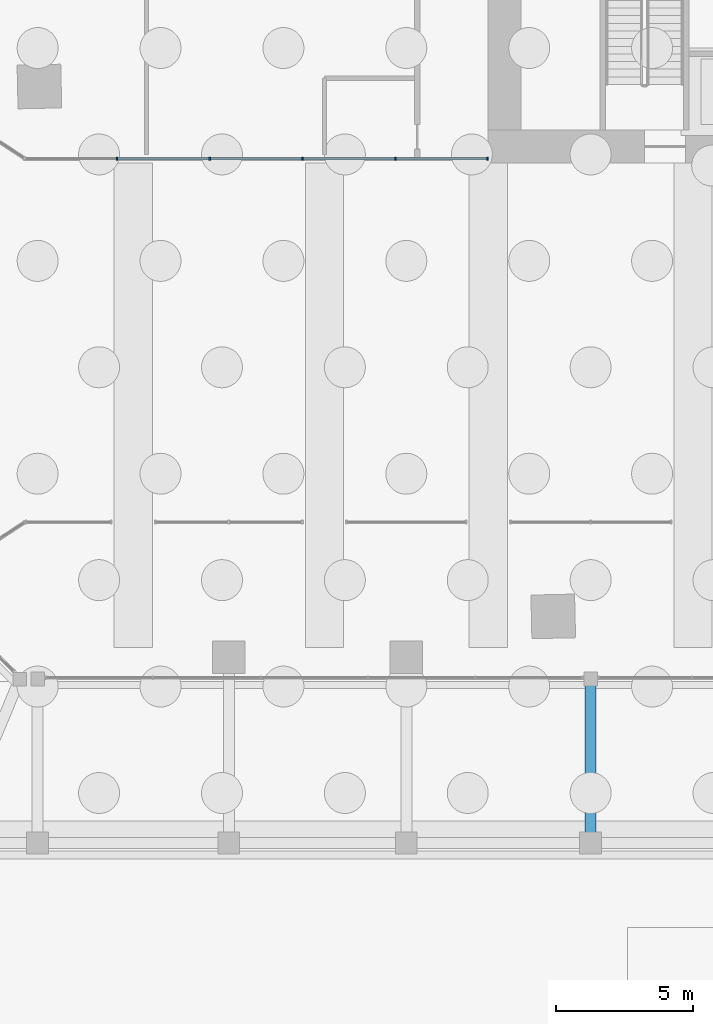
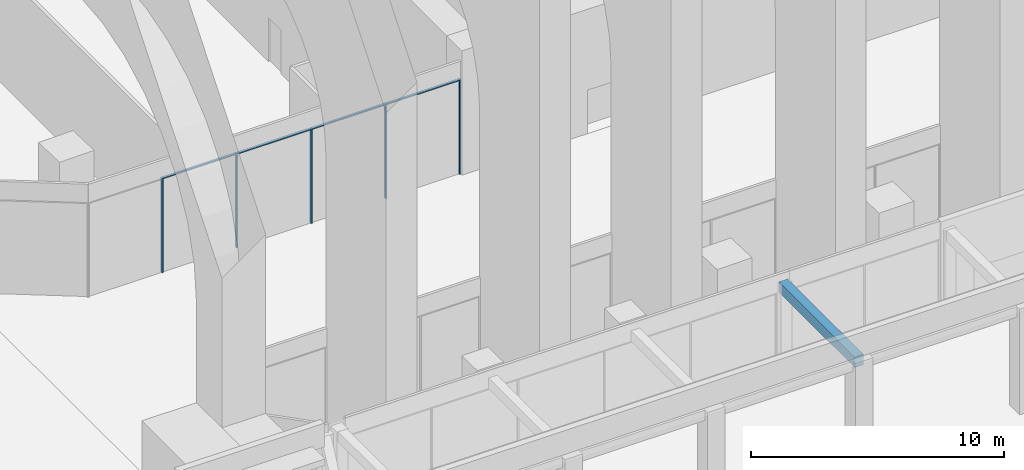
# One storey, part 9 of 46: 9 members, 1 beam, 1 element without a shape of its own.
"""IFC4 building model written with IfcOpenShell, lengths in metres."""

from ifc_helpers import new_model, si_unit, direction, frame, origin, origin_2d, place, context, subcontext, project, spatial, rectangle, extrude, material, material_profile, profile_set, type_object, element, aggregate, save


model = new_model("IFC4")

# Units and contexts
model_context = context("Model", 3, precision=1e-05, world=origin(), true_north=direction((0.0, 1.0)))
body_context = subcontext(model_context, "Body", "Model", "MODEL_VIEW")
ifc_project = project(units=[si_unit("LENGTHUNIT", "METRE"), si_unit("AREAUNIT", "SQUARE_METRE"), si_unit("VOLUMEUNIT", "CUBIC_METRE"), si_unit("PLANEANGLEUNIT", "RADIAN"), si_unit("MASSUNIT", "GRAM", prefix="KILO")], contexts=[model_context])

# Site, building, storey
site_placement = place(None, origin())
site = spatial("IfcSite", under=ifc_project, at=site_placement, CompositionType="ELEMENT")
building_placement = place(site_placement, origin())
building = spatial("IfcBuilding", under=site, at=building_placement, Name="Mangrove Gate Tower", CompositionType="ELEMENT")
storey_placement = place(building_placement, origin())
storey = spatial("IfcBuildingStorey", under=building, at=storey_placement, Name="L00", CompositionType="ELEMENT", Elevation=0.0)

# Beam
ifc_material_1 = material(Name="Concrete C70/85", Category="concrete")
ifc_material_profile_1 = material_profile(ifc_material_1, rectangle(XDim=0.39990234375, YDim=0.5, at=origin_2d()))
ifc_profile_set_1 = profile_set([ifc_material_profile_1], Name="Concrete C70/85")
beam_type = type_object("IfcBeamType", Name="Canopy beam RC 400x500 C70/85", PredefinedType="BEAM", material=ifc_profile_set_1)
beam_placement = place(storey_placement, frame((-11.25, -30.89990234375, 4.830078125), z_axis=(0.0, -1.0, 0.0), x_axis=(1.0, 0.0, 0.0)))
element("IfcBeam", 1, at=beam_placement, inside=storey, type_object=beam_type, Name="Canopy beam L00 CBS05", PredefinedType="BEAM", context=body_context, shape_type="SweptSolid", body=[
    extrude(rectangle(XDim=0.39990234375, YDim=0.5, at=origin_2d()), origin(), (0.0, 0.0, 1.0), 6.0),
])

# Curtain wall, members
ifc_material_2 = material(Name="Aluminium and glass curtain wall", Category="aluminium")
curtain_wall_type = type_object("IfcCurtainWallType", Name="Podium shopfront glazing wall", PredefinedType="NOTDEFINED", material=ifc_material_2)
curtain_wall_placement = place(storey_placement, origin())
curtain_wall = element("IfcCurtainWall", 2, at=curtain_wall_placement, inside=storey, type_object=curtain_wall_type, Name="Podium shopfront glazing S7s1", PredefinedType="NOTDEFINED")
ifc_material_3 = material(Name="Aluminium alloy 6063-T6", Category="aluminium")
ifc_material_profile_2 = material_profile(ifc_material_3, rectangle(XDim=0.06005859375, YDim=0.1201171875, at=origin_2d()))
ifc_profile_set_2 = profile_set([ifc_material_profile_2], Name="Aluminium alloy 6063-T6")
member_type_1 = type_object("IfcMemberType", Name="Podium shopfront glazing mullion 60x120", PredefinedType="MULLION", material=ifc_profile_set_2)
member_1_placement = place(storey_placement, frame((-28.60009765625, -11.85009765625, 0.0), z_axis=(0.0, 0.0, 1.0), x_axis=(1.0, 0.0, 0.0)))
member_1 = element("IfcMember", 3, at=member_1_placement, type_object=member_type_1, Name="CWS mullion 2", PredefinedType="MULLION", context=body_context, shape_type="SweptSolid", body=[
    extrude(rectangle(XDim=0.06005859375, YDim=0.1201171875, at=origin_2d()), origin(), (0.0, 0.0, 1.0), 4.570068359375),
])
member_2_placement = place(storey_placement, frame((-25.199951171875, -11.85009765625, 0.0), z_axis=(0.0, 0.0, 1.0), x_axis=(1.0, 0.0, 0.0)))
member_2 = element("IfcMember", 4, at=member_2_placement, type_object=member_type_1, Name="CWS mullion 3", PredefinedType="MULLION", context=body_context, shape_type="SweptSolid", body=[
    extrude(rectangle(XDim=0.06005859375, YDim=0.1201171875, at=origin_2d()), origin(), (0.0, 0.0, 1.0), 4.570068359375),
])
member_3_placement = place(storey_placement, frame((-21.800048828125, -11.85009765625, 0.0), z_axis=(0.0, 0.0, 1.0), x_axis=(1.0, 0.0, 0.0)))
member_3 = element("IfcMember", 5, at=member_3_placement, type_object=member_type_1, Name="CWS mullion 4", PredefinedType="MULLION", context=body_context, shape_type="SweptSolid", body=[
    extrude(rectangle(XDim=0.06005859375, YDim=0.1201171875, at=origin_2d()), origin(), (0.0, 0.0, 1.0), 4.570068359375),
])
member_4_placement = place(storey_placement, frame((-18.39990234375, -11.85009765625, 0.0), z_axis=(0.0, 0.0, 1.0), x_axis=(1.0, 0.0, 0.0)))
member_4 = element("IfcMember", 6, at=member_4_placement, type_object=member_type_1, Name="CWS mullion 5", PredefinedType="MULLION", context=body_context, shape_type="SweptSolid", body=[
    extrude(rectangle(XDim=0.06005859375, YDim=0.1201171875, at=origin_2d()), origin(), (0.0, 0.0, 1.0), 4.570068359375),
])
member_5_placement = place(storey_placement, frame((-15.030029296875, -11.85009765625, 0.0), z_axis=(0.0, 0.0, 1.0), x_axis=(1.0, 0.0, 0.0)))
member_5 = element("IfcMember", 7, at=member_5_placement, type_object=member_type_1, Name="CWS mullion 6", PredefinedType="MULLION", context=body_context, shape_type="SweptSolid", body=[
    extrude(rectangle(XDim=0.06005859375, YDim=0.1201171875, at=origin_2d()), origin(), (0.0, 0.0, 1.0), 4.570068359375),
])
ifc_material_4 = material(Name="Aluminium alloy 6063-T6", Category="aluminium")
ifc_material_profile_3 = material_profile(ifc_material_4, rectangle(XDim=0.06005859375, YDim=0.10009765625, at=origin_2d()))
ifc_profile_set_3 = profile_set([ifc_material_profile_3], Name="Aluminium alloy 6063-T6")
member_type_2 = type_object("IfcMemberType", Name="Podium shopfront glazing transom 60x100", PredefinedType="USERDEFINED", material=ifc_profile_set_3)
member_6_placement = place(storey_placement, frame((-28.570068359375, -11.85009765625, 4.5400390625), z_axis=(1.0, 0.0, 0.0), x_axis=(0.0, 0.0, 1.0)))
member_6 = element("IfcMember", 8, at=member_6_placement, type_object=member_type_2, Name="CWS transom 2.2", ObjectType="TRANSOM", PredefinedType="USERDEFINED", context=body_context, shape_type="SweptSolid", body=[
    extrude(rectangle(XDim=0.06005859375, YDim=0.10009765625, at=origin_2d()), origin(), (0.0, 0.0, 1.0), 3.340087890625),
])
member_7_placement = place(storey_placement, frame((-25.169921875, -11.85009765625, 4.5400390625), z_axis=(1.0, 0.0, 0.0), x_axis=(0.0, 0.0, 1.0)))
member_7 = element("IfcMember", 9, at=member_7_placement, type_object=member_type_2, Name="CWS transom 3.2", ObjectType="TRANSOM", PredefinedType="USERDEFINED", context=body_context, shape_type="SweptSolid", body=[
    extrude(rectangle(XDim=0.06005859375, YDim=0.10009765625, at=origin_2d()), origin(), (0.0, 0.0, 1.0), 3.33984375),
])
member_8_placement = place(storey_placement, frame((-21.77001953125, -11.85009765625, 4.5400390625), z_axis=(1.0, 0.0, 0.0), x_axis=(0.0, 0.0, 1.0)))
member_8 = element("IfcMember", 10, at=member_8_placement, type_object=member_type_2, Name="CWS transom 4.2", ObjectType="TRANSOM", PredefinedType="USERDEFINED", context=body_context, shape_type="SweptSolid", body=[
    extrude(rectangle(XDim=0.06005859375, YDim=0.10009765625, at=origin_2d()), origin(), (0.0, 0.0, 1.0), 3.340087890625),
])
member_9_placement = place(storey_placement, frame((-18.3701171875, -11.85009765625, 4.5400390625), z_axis=(1.0, 0.0, 0.0), x_axis=(0.0, 0.0, 1.0)))
member_9 = element("IfcMember", 11, at=member_9_placement, type_object=member_type_2, Name="CWS transom 5.2", ObjectType="TRANSOM", PredefinedType="USERDEFINED", context=body_context, shape_type="SweptSolid", body=[
    extrude(rectangle(XDim=0.06005859375, YDim=0.10009765625, at=origin_2d()), origin(), (0.0, 0.0, 1.0), 3.31005859375),
])
aggregate(curtain_wall, [member_1, member_2, member_3, member_4, member_5, member_6, member_7, member_8, member_9])

save(model, "model.ifc")
